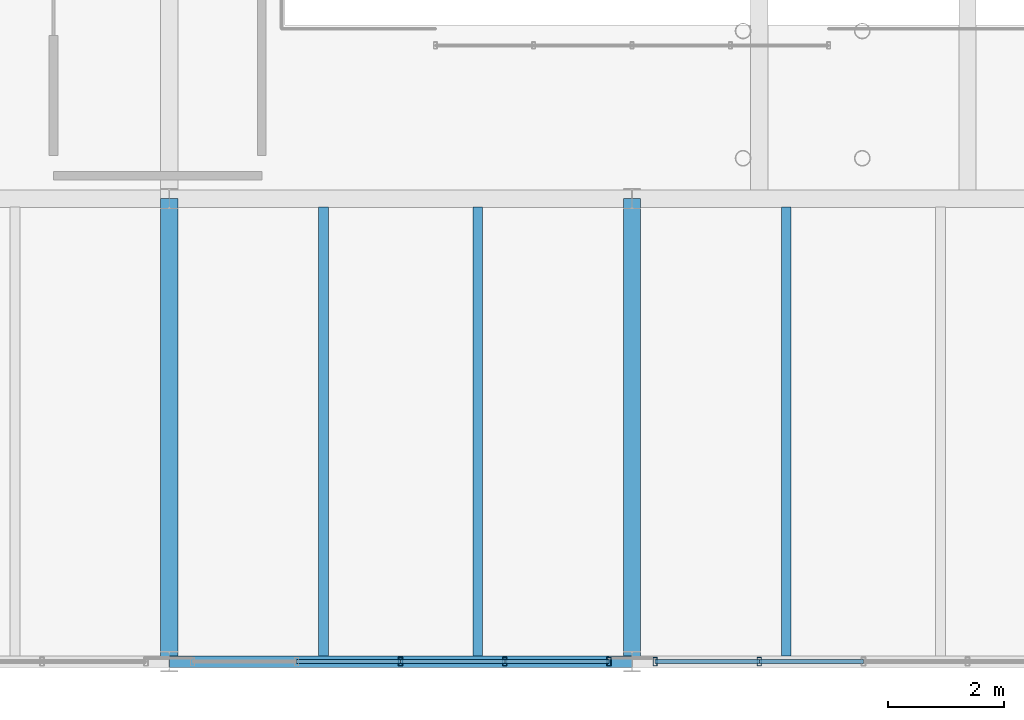
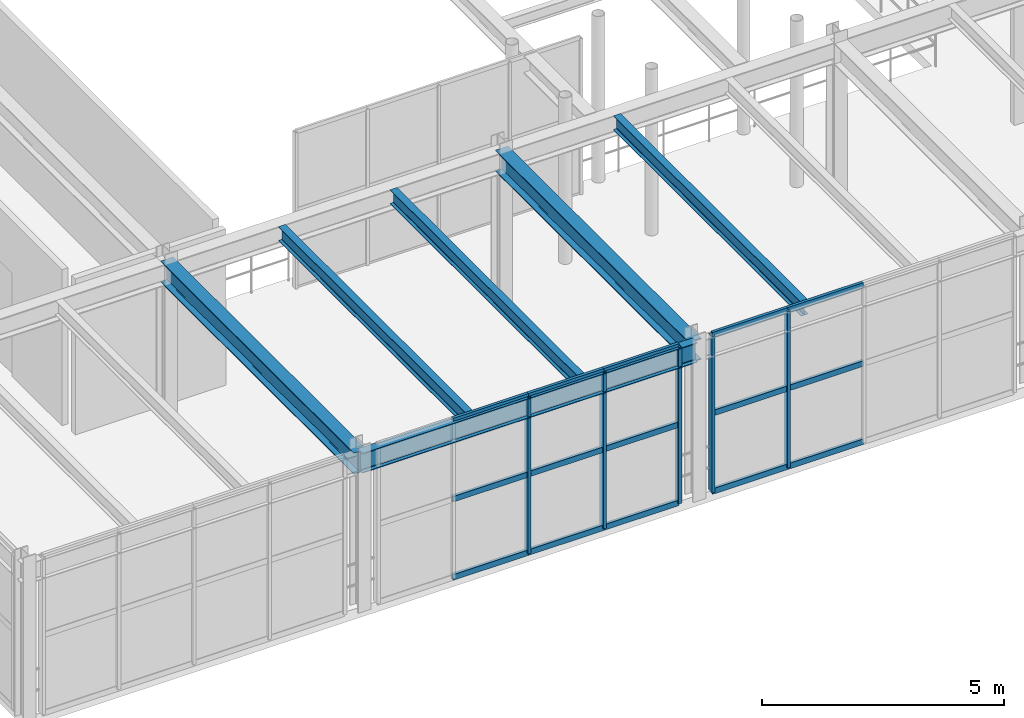
# One storey, part 21 of 122: 20 members, 6 beams, 2 elements without a shape of their own.
"""IFC4 building model written with IfcOpenShell, lengths in metres."""

from ifc_helpers import new_model, si_unit, direction, frame, origin, origin_2d, place, context, subcontext, project, spatial, hollow_rectangle, i_section, extrude, material, material_profile, profile_set, type_object, element, aggregate, save


model = new_model("IFC4")

# Units and contexts
model_context = context("Model", 3, precision=1e-05, world=origin(), true_north=direction((0.0, 1.0)))
body_context = subcontext(model_context, "Body", "Model", "MODEL_VIEW")
ifc_project = project(units=[si_unit("LENGTHUNIT", "METRE"), si_unit("AREAUNIT", "SQUARE_METRE"), si_unit("VOLUMEUNIT", "CUBIC_METRE"), si_unit("PLANEANGLEUNIT", "RADIAN"), si_unit("MASSUNIT", "GRAM", prefix="KILO")], contexts=[model_context])

# Site, building, storey
site_placement = place(None, origin())
site = spatial("IfcSite", under=ifc_project, at=site_placement, CompositionType="ELEMENT")
building_placement = place(site_placement, origin())
building = spatial("IfcBuilding", under=site, at=building_placement, Name="Sundkrona Museum", CompositionType="ELEMENT")
storey_placement = place(building_placement, frame((0.0, 0.0, 5.39990234375)))
storey = spatial("IfcBuildingStorey", under=building, at=storey_placement, Name="L01", CompositionType="ELEMENT", Elevation=5.39990234375)

# Beams
ifc_material_1 = material(Name="Steel S355J2", Category="steel")
ifc_material_profile_1 = material_profile(ifc_material_1, i_section(OverallWidth=0.300048828125, OverallDepth=0.5400390625, WebThickness=0.012451171875, FlangeThickness=0.02392578125, FilletRadius=0.027099609375, at=origin_2d()), Name="HEA 550")
ifc_profile_set_1 = profile_set([ifc_material_profile_1], Name="Steel S355J2")
beam_type_1 = type_object("IfcBeamType", Name="B-HEA550", PredefinedType="BEAM", material=ifc_profile_set_1)
for number, where, z_axis, x_axis, name in (
    (1, (88.0, 0.0, 3.670166015625), (0.0, 1.0, 0.0), (-1.0, 0.0, 0.0), "L01 Girder Y-1019"),
    (2, (96.0, 0.0, 3.670166015625), (0.0, 1.0, 0.0), (-1.0, 0.0, 0.0), "L01 Girder Y-1023"),
):
    element("IfcBeam", number, at=place(storey_placement, frame(where, z_axis=z_axis, x_axis=x_axis)), inside=storey, type_object=beam_type_1, Name=name, PredefinedType="BEAM", context=body_context, shape_type="SweptSolid", body=[
        extrude(i_section(OverallWidth=0.300048828125, OverallDepth=0.5400390625, WebThickness=0.012451171875, FlangeThickness=0.02392578125, FilletRadius=0.027099609375, at=origin_2d()), origin(), (0.0, 0.0, 1.0), 8.0),
    ])
ifc_material_profile_2 = material_profile(ifc_material_1, i_section(OverallWidth=0.169921875, OverallDepth=0.360107421875, WebThickness=0.008056640625, FlangeThickness=0.0126953125, FilletRadius=0.01806640625, at=origin_2d()), Name="IPE 360")
ifc_profile_set_2 = profile_set([ifc_material_profile_2], Name="Steel S355J2")
beam_type_2 = type_object("IfcBeamType", Name="J-IPE360", PredefinedType="JOIST", material=ifc_profile_set_2)
for number, where, z_axis, x_axis, name in (
    (3, (90.666748046875, 0.093994140625, 3.760009765625), (0.0, 1.0, 0.0), (-1.0, 0.0, 0.0), "L01 Composite Joist 0638"),
    (4, (93.333251953125, 0.093994140625, 3.760009765625), (0.0, 1.0, 0.0), (-1.0, 0.0, 0.0), "L01 Composite Joist 0639"),
    (5, (98.666748046875, 0.093994140625, 3.760009765625), (0.0, 1.0, 0.0), (-1.0, 0.0, 0.0), "L01 Composite Joist 0642"),
):
    element("IfcBeam", number, at=place(storey_placement, frame(where, z_axis=z_axis, x_axis=x_axis)), inside=storey, type_object=beam_type_2, Name=name, PredefinedType="JOIST", context=body_context, shape_type="SweptSolid", body=[
        extrude(i_section(OverallWidth=0.169921875, OverallDepth=0.360107421875, WebThickness=0.008056640625, FlangeThickness=0.0126953125, FilletRadius=0.01806640625, at=origin_2d()), origin(), (0.0, 0.0, 1.0), 7.761962890625),
    ])

# Curtain wall, members
ifc_material_2 = material(Name="Unitised Aluminium-Steel and Ceramic-Clad Curtain Walling", Category="steel")
curtain_wall_type = type_object("IfcCurtainWallType", Name="CW-AT-72x38", PredefinedType="NOTDEFINED", material=ifc_material_2)
curtain_wall_1_placement = place(storey_placement, origin())
curtain_wall_1 = element("IfcCurtainWall", 6, at=curtain_wall_1_placement, inside=storey, type_object=curtain_wall_type, Name="L01 Curtain Wall CW-L01-029", PredefinedType="NOTDEFINED")
ifc_material_3 = material(Name="Aluminium EN AW-6060 T66", Category="aluminium")
ifc_material_profile_3 = material_profile(ifc_material_3, hollow_rectangle(XDim=0.074951171875, YDim=0.14990234375, WallThickness=0.00634765625, at=origin_2d()), Name="RHS 150x75x6.3")
ifc_profile_set_3 = profile_set([ifc_material_profile_3], Name="Aluminium EN AW-6060 T66")
member_type_1 = type_object("IfcMemberType", Name="ML-150", PredefinedType="MULLION", material=ifc_profile_set_3)
member_1_placement = place(storey_placement, frame((92.0, 0.0, -0.00390625), z_axis=(0.0, 0.0, 1.0), x_axis=(1.0, 0.0, 0.0)))
member_1 = element("IfcMember", 7, at=member_1_placement, type_object=member_type_1, Name="CW-L01-029 Mullion 03", PredefinedType="MULLION", context=body_context, shape_type="SweptSolid", body=[
    extrude(hollow_rectangle(XDim=0.074951171875, YDim=0.14990234375, WallThickness=0.00634765625, at=origin_2d()), origin(), (0.0, 0.0, 1.0), 3.947998046875),
])
member_2_placement = place(storey_placement, frame((93.800048828125, 0.0, -0.00390625), z_axis=(0.0, 0.0, 1.0), x_axis=(1.0, 0.0, 0.0)))
member_2 = element("IfcMember", 8, at=member_2_placement, type_object=member_type_1, Name="CW-L01-029 Mullion 04", PredefinedType="MULLION", context=body_context, shape_type="SweptSolid", body=[
    extrude(hollow_rectangle(XDim=0.074951171875, YDim=0.14990234375, WallThickness=0.00634765625, at=origin_2d()), origin(), (0.0, 0.0, 1.0), 3.947998046875),
])
member_3_placement = place(storey_placement, frame((95.60009765625, 0.0, -0.00390625), z_axis=(0.0, 0.0, 1.0), x_axis=(1.0, 0.0, 0.0)))
member_3 = element("IfcMember", 9, at=member_3_placement, type_object=member_type_1, Name="CW-L01-029 Mullion 05", PredefinedType="MULLION", context=body_context, shape_type="SweptSolid", body=[
    extrude(hollow_rectangle(XDim=0.074951171875, YDim=0.14990234375, WallThickness=0.00634765625, at=origin_2d()), origin(), (0.0, 0.0, 1.0), 3.947998046875),
])

curtain_wall_2_placement = place(storey_placement, origin())
curtain_wall_2 = element("IfcCurtainWall", 10, at=curtain_wall_2_placement, inside=storey, type_object=curtain_wall_type, Name="L01 Curtain Wall CW-L01-030", PredefinedType="NOTDEFINED")
member_4_placement = place(storey_placement, frame((96.39990234375, 0.0, -0.00390625), z_axis=(0.0, 0.0, 1.0), x_axis=(1.0, 0.0, 0.0)))
member_4 = element("IfcMember", 11, at=member_4_placement, type_object=member_type_1, Name="CW-L01-030 Mullion 01", PredefinedType="MULLION", context=body_context, shape_type="SweptSolid", body=[
    extrude(hollow_rectangle(XDim=0.074951171875, YDim=0.14990234375, WallThickness=0.00634765625, at=origin_2d()), origin(), (0.0, 0.0, 1.0), 3.947998046875),
])
member_5_placement = place(storey_placement, frame((98.199951171875, 0.0, -0.00390625), z_axis=(0.0, 0.0, 1.0), x_axis=(1.0, 0.0, 0.0)))
member_5 = element("IfcMember", 12, at=member_5_placement, type_object=member_type_1, Name="CW-L01-030 Mullion 02", PredefinedType="MULLION", context=body_context, shape_type="SweptSolid", body=[
    extrude(hollow_rectangle(XDim=0.074951171875, YDim=0.14990234375, WallThickness=0.00634765625, at=origin_2d()), origin(), (0.0, 0.0, 1.0), 3.947998046875),
])

# Beam
ifc_material_profile_4 = material_profile(ifc_material_1, i_section(OverallWidth=0.199951171875, OverallDepth=0.5, WebThickness=0.01025390625, FlangeThickness=0.01611328125, FilletRadius=0.02099609375, at=origin_2d()), Name="IPE 500")
ifc_profile_set_4 = profile_set([ifc_material_profile_4], Name="Steel S355J2")
beam_type_3 = type_object("IfcBeamType", Name="SP-IPE500", PredefinedType="SPANDREL", material=ifc_profile_set_4)
beam_placement = place(storey_placement, frame((88.0, 0.0, 3.690185546875), z_axis=(1.0, 0.0, 0.0), x_axis=(0.0, 1.0, 0.0)))
element("IfcBeam", 13, at=beam_placement, inside=storey, type_object=beam_type_3, Name="L01 Girder X-0809", PredefinedType="SPANDREL", context=body_context, shape_type="SweptSolid", body=[
    extrude(i_section(OverallWidth=0.199951171875, OverallDepth=0.5, WebThickness=0.01025390625, FlangeThickness=0.01611328125, FilletRadius=0.02099609375, at=origin_2d()), origin(), (0.0, 0.0, 1.0), 8.0),
])

# Member
ifc_material_profile_5 = material_profile(ifc_material_3, hollow_rectangle(XDim=0.070068359375, YDim=0.139892578125, WallThickness=0.0048828125, at=origin_2d()), Name="RHS 140x70x5.0")
ifc_profile_set_5 = profile_set([ifc_material_profile_5], Name="Aluminium EN AW-6060 T66")
member_type_2 = type_object("IfcMemberType", Name="TR-140", PredefinedType="USERDEFINED", material=ifc_profile_set_5)
member_6_placement = place(storey_placement, frame((90.199951171875, 0.0, -0.00390625), z_axis=(1.0, 0.0, 0.0), x_axis=(0.0, 1.0, 0.0)))
member_6 = element("IfcMember", 14, at=member_6_placement, type_object=member_type_2, Name="CW-L01-029 Transom 04", ObjectType="TRANSOM", PredefinedType="USERDEFINED", context=body_context, shape_type="SweptSolid", body=[
    extrude(hollow_rectangle(XDim=0.070068359375, YDim=0.139892578125, WallThickness=0.0048828125, at=origin_2d()), origin(), (0.0, 0.0, 1.0), 1.800048828125),
])

member_7_placement = place(storey_placement, frame((90.199951171875, 0.0, 1.97021484375), z_axis=(1.0, 0.0, 0.0), x_axis=(0.0, 1.0, 0.0)))
member_7 = element("IfcMember", 15, at=member_7_placement, type_object=member_type_2, Name="CW-L01-029 Transom 05", ObjectType="TRANSOM", PredefinedType="USERDEFINED", context=body_context, shape_type="SweptSolid", body=[
    extrude(hollow_rectangle(XDim=0.070068359375, YDim=0.139892578125, WallThickness=0.0048828125, at=origin_2d()), origin(), (0.0, 0.0, 1.0), 1.800048828125),
])

member_8_placement = place(storey_placement, frame((90.199951171875, 0.0, 3.944091796875), z_axis=(1.0, 0.0, 0.0), x_axis=(0.0, 1.0, 0.0)))
member_8 = element("IfcMember", 16, at=member_8_placement, type_object=member_type_2, Name="CW-L01-029 Transom 06", ObjectType="TRANSOM", PredefinedType="USERDEFINED", context=body_context, shape_type="SweptSolid", body=[
    extrude(hollow_rectangle(XDim=0.070068359375, YDim=0.139892578125, WallThickness=0.0048828125, at=origin_2d()), origin(), (0.0, 0.0, 1.0), 1.800048828125),
])

member_9_placement = place(storey_placement, frame((92.0, 0.0, -0.00390625), z_axis=(1.0, 0.0, 0.0), x_axis=(0.0, 1.0, 0.0)))
member_9 = element("IfcMember", 17, at=member_9_placement, type_object=member_type_2, Name="CW-L01-029 Transom 07", ObjectType="TRANSOM", PredefinedType="USERDEFINED", context=body_context, shape_type="SweptSolid", body=[
    extrude(hollow_rectangle(XDim=0.070068359375, YDim=0.139892578125, WallThickness=0.0048828125, at=origin_2d()), origin(), (0.0, 0.0, 1.0), 1.800048828125),
])

member_10_placement = place(storey_placement, frame((92.0, 0.0, 1.97021484375), z_axis=(1.0, 0.0, 0.0), x_axis=(0.0, 1.0, 0.0)))
member_10 = element("IfcMember", 18, at=member_10_placement, type_object=member_type_2, Name="CW-L01-029 Transom 08", ObjectType="TRANSOM", PredefinedType="USERDEFINED", context=body_context, shape_type="SweptSolid", body=[
    extrude(hollow_rectangle(XDim=0.070068359375, YDim=0.139892578125, WallThickness=0.0048828125, at=origin_2d()), origin(), (0.0, 0.0, 1.0), 1.800048828125),
])

member_11_placement = place(storey_placement, frame((92.0, 0.0, 3.944091796875), z_axis=(1.0, 0.0, 0.0), x_axis=(0.0, 1.0, 0.0)))
member_11 = element("IfcMember", 19, at=member_11_placement, type_object=member_type_2, Name="CW-L01-029 Transom 09", ObjectType="TRANSOM", PredefinedType="USERDEFINED", context=body_context, shape_type="SweptSolid", body=[
    extrude(hollow_rectangle(XDim=0.070068359375, YDim=0.139892578125, WallThickness=0.0048828125, at=origin_2d()), origin(), (0.0, 0.0, 1.0), 1.800048828125),
])

member_12_placement = place(storey_placement, frame((93.800048828125, 0.0, -0.00390625), z_axis=(1.0, 0.0, 0.0), x_axis=(0.0, 1.0, 0.0)))
member_12 = element("IfcMember", 20, at=member_12_placement, type_object=member_type_2, Name="CW-L01-029 Transom 10", ObjectType="TRANSOM", PredefinedType="USERDEFINED", context=body_context, shape_type="SweptSolid", body=[
    extrude(hollow_rectangle(XDim=0.070068359375, YDim=0.139892578125, WallThickness=0.0048828125, at=origin_2d()), origin(), (0.0, 0.0, 1.0), 1.800048828125),
])

member_13_placement = place(storey_placement, frame((93.800048828125, 0.0, 1.97021484375), z_axis=(1.0, 0.0, 0.0), x_axis=(0.0, 1.0, 0.0)))
member_13 = element("IfcMember", 21, at=member_13_placement, type_object=member_type_2, Name="CW-L01-029 Transom 11", ObjectType="TRANSOM", PredefinedType="USERDEFINED", context=body_context, shape_type="SweptSolid", body=[
    extrude(hollow_rectangle(XDim=0.070068359375, YDim=0.139892578125, WallThickness=0.0048828125, at=origin_2d()), origin(), (0.0, 0.0, 1.0), 1.800048828125),
])

member_14_placement = place(storey_placement, frame((93.800048828125, 0.0, 3.944091796875), z_axis=(1.0, 0.0, 0.0), x_axis=(0.0, 1.0, 0.0)))
member_14 = element("IfcMember", 22, at=member_14_placement, type_object=member_type_2, Name="CW-L01-029 Transom 12", ObjectType="TRANSOM", PredefinedType="USERDEFINED", context=body_context, shape_type="SweptSolid", body=[
    extrude(hollow_rectangle(XDim=0.070068359375, YDim=0.139892578125, WallThickness=0.0048828125, at=origin_2d()), origin(), (0.0, 0.0, 1.0), 1.800048828125),
])

aggregate(curtain_wall_1, [member_1, member_2, member_3, member_6, member_7, member_8, member_9, member_10, member_11, member_12, member_13, member_14])

member_15_placement = place(storey_placement, frame((96.39990234375, 0.0, -0.00390625), z_axis=(1.0, 0.0, 0.0), x_axis=(0.0, 1.0, 0.0)))
member_15 = element("IfcMember", 23, at=member_15_placement, type_object=member_type_2, Name="CW-L01-030 Transom 01", ObjectType="TRANSOM", PredefinedType="USERDEFINED", context=body_context, shape_type="SweptSolid", body=[
    extrude(hollow_rectangle(XDim=0.070068359375, YDim=0.139892578125, WallThickness=0.0048828125, at=origin_2d()), origin(), (0.0, 0.0, 1.0), 1.800048828125),
])

member_16_placement = place(storey_placement, frame((96.39990234375, 0.0, 1.97021484375), z_axis=(1.0, 0.0, 0.0), x_axis=(0.0, 1.0, 0.0)))
member_16 = element("IfcMember", 24, at=member_16_placement, type_object=member_type_2, Name="CW-L01-030 Transom 02", ObjectType="TRANSOM", PredefinedType="USERDEFINED", context=body_context, shape_type="SweptSolid", body=[
    extrude(hollow_rectangle(XDim=0.070068359375, YDim=0.139892578125, WallThickness=0.0048828125, at=origin_2d()), origin(), (0.0, 0.0, 1.0), 1.800048828125),
])

member_17_placement = place(storey_placement, frame((96.39990234375, 0.0, 3.944091796875), z_axis=(1.0, 0.0, 0.0), x_axis=(0.0, 1.0, 0.0)))
member_17 = element("IfcMember", 25, at=member_17_placement, type_object=member_type_2, Name="CW-L01-030 Transom 03", ObjectType="TRANSOM", PredefinedType="USERDEFINED", context=body_context, shape_type="SweptSolid", body=[
    extrude(hollow_rectangle(XDim=0.070068359375, YDim=0.139892578125, WallThickness=0.0048828125, at=origin_2d()), origin(), (0.0, 0.0, 1.0), 1.800048828125),
])

member_18_placement = place(storey_placement, frame((98.199951171875, 0.0, -0.00390625), z_axis=(1.0, 0.0, 0.0), x_axis=(0.0, 1.0, 0.0)))
member_18 = element("IfcMember", 26, at=member_18_placement, type_object=member_type_2, Name="CW-L01-030 Transom 04", ObjectType="TRANSOM", PredefinedType="USERDEFINED", context=body_context, shape_type="SweptSolid", body=[
    extrude(hollow_rectangle(XDim=0.070068359375, YDim=0.139892578125, WallThickness=0.0048828125, at=origin_2d()), origin(), (0.0, 0.0, 1.0), 1.800048828125),
])

member_19_placement = place(storey_placement, frame((98.199951171875, 0.0, 1.97021484375), z_axis=(1.0, 0.0, 0.0), x_axis=(0.0, 1.0, 0.0)))
member_19 = element("IfcMember", 27, at=member_19_placement, type_object=member_type_2, Name="CW-L01-030 Transom 05", ObjectType="TRANSOM", PredefinedType="USERDEFINED", context=body_context, shape_type="SweptSolid", body=[
    extrude(hollow_rectangle(XDim=0.070068359375, YDim=0.139892578125, WallThickness=0.0048828125, at=origin_2d()), origin(), (0.0, 0.0, 1.0), 1.800048828125),
])

member_20_placement = place(storey_placement, frame((98.199951171875, 0.0, 3.944091796875), z_axis=(1.0, 0.0, 0.0), x_axis=(0.0, 1.0, 0.0)))
member_20 = element("IfcMember", 28, at=member_20_placement, type_object=member_type_2, Name="CW-L01-030 Transom 06", ObjectType="TRANSOM", PredefinedType="USERDEFINED", context=body_context, shape_type="SweptSolid", body=[
    extrude(hollow_rectangle(XDim=0.070068359375, YDim=0.139892578125, WallThickness=0.0048828125, at=origin_2d()), origin(), (0.0, 0.0, 1.0), 1.800048828125),
])

aggregate(curtain_wall_2, [member_4, member_5, member_15, member_16, member_17, member_18, member_19, member_20])

save(model, "model.ifc")
